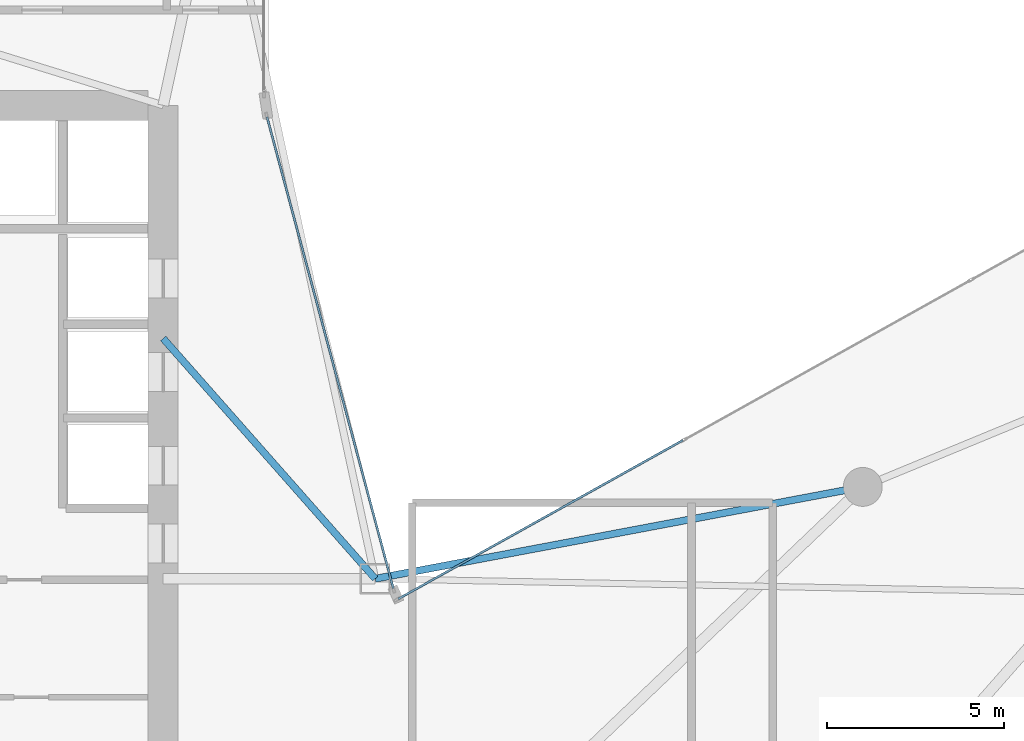
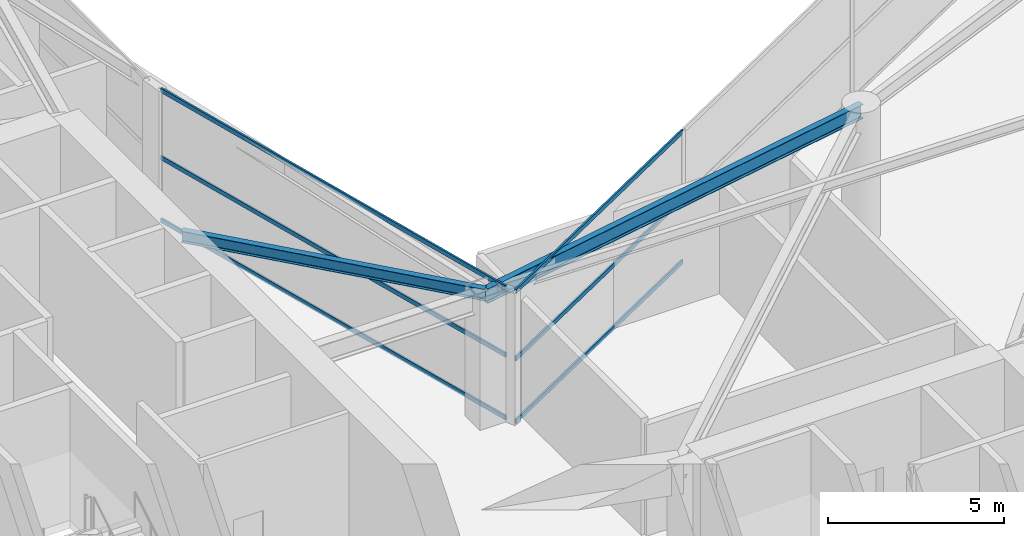
# One storey, part 3 of 19: 6 members, 2 beams, 2 elements without a shape of their own.
"""IFC4 building model written with IfcOpenShell, lengths in metres."""

import ifcopenshell
import ifcopenshell.guid

model = None  # the IFC model being written
_history = None  # IfcOwnerHistory: only IFC2X3 demands one
_inside = {}  # id of a spatial element -> (the spatial element, [elements in it])
_under = {}  # id of a project, library or spatial element -> (it, [spatial elements below it])
_declared = {}  # id of a project -> (the project, [libraries it declares])
_typed = {}  # id of a type object -> (the type object, [elements of that type])
_made_of = {}  # id of a material, layer set ... -> (it, [elements and type objects made of it])


def new_model(schema):
    """Start an empty IFC model of exactly this schema.

    Asked for "IFC4X3", IfcOpenShell would pick the latest addendum, in which some entities
    have other attributes; the version numbers below select the first issue.
    IFC2X3 requires an IfcOwnerHistory on every rooted entity: one is made here for all.
    """
    global model, _history
    if schema == "IFC4X3":
        model = ifcopenshell.file(schema_version=(4, 3, 0, 0))
    else:
        model = ifcopenshell.file(schema=schema)
    _inside.clear()
    _under.clear()
    _declared.clear()
    _typed.clear()
    _made_of.clear()
    _history = None
    if model.schema == "IFC2X3":
        org = make("IfcOrganization", Name="unknown")
        user = make(
            "IfcPersonAndOrganization",
            ThePerson=make("IfcPerson", FamilyName="unknown"),
            TheOrganization=org,
        )
        app = make(
            "IfcApplication",
            ApplicationDeveloper=org,
            Version="unknown",
            ApplicationFullName="unknown",
            ApplicationIdentifier="unknown",
        )
        _history = make(
            "IfcOwnerHistory",
            OwningUser=user,
            OwningApplication=app,
            ChangeAction="ADDED",
            CreationDate=0,
        )
    return model


def make(cls, **values):
    """One entity of the class cls with the attributes given. An attribute that is None is left unset."""
    return model.create_entity(
        cls, **{name: value for name, value in values.items() if value is not None}
    )


def rooted(cls, **values):
    """An entity with a GlobalId (a new one), such as an element, a storey or a relation."""
    return make(cls, GlobalId=ifcopenshell.guid.new(), OwnerHistory=_history, **values)


def si_unit(unit_type, name, prefix=None):
    """IfcSIUnit, for example si_unit("LENGTHUNIT", "METRE", prefix="MILLI")."""
    return make("IfcSIUnit", UnitType=unit_type, Prefix=prefix, Name=name)


def assignment(units):
    """IfcUnitAssignment: the units of a project."""
    return None if units is None else make("IfcUnitAssignment", Units=units)


def point(xyz):
    """IfcCartesianPoint."""
    return None if xyz is None else make("IfcCartesianPoint", Coordinates=xyz)


def direction(xyz):
    """IfcDirection."""
    return None if xyz is None else make("IfcDirection", DirectionRatios=xyz)


def frame(location, z_axis=None, x_axis=None):
    """IfcAxis2Placement3D, a coordinate frame: its origin and axes. An axis left out is left unset."""
    return make(
        "IfcAxis2Placement3D",
        Location=point(location),
        Axis=direction(z_axis),
        RefDirection=direction(x_axis),
    )


def frame_2d(location, x_axis=None):
    """IfcAxis2Placement2D, a coordinate frame in the plane: its origin and x axis."""
    return make(
        "IfcAxis2Placement2D", Location=point(location), RefDirection=direction(x_axis)
    )


def origin():
    """The frame at (0, 0, 0) with its axes left unset."""
    return frame((0.0, 0.0, 0.0))


def origin_2d():
    """The frame at (0, 0) in the plane with its x axis left unset."""
    return frame_2d((0.0, 0.0))


def place(relative_to, where):
    """IfcLocalPlacement: puts the frame where relative to a parent placement (None: the world)."""
    return make(
        "IfcLocalPlacement", PlacementRelTo=relative_to, RelativePlacement=where
    )


def context(
    kind, dimensions, precision=None, world=None, true_north=None, identifier=None
):
    """IfcGeometricRepresentationContext, for example the 3D "Model" context."""
    return make(
        "IfcGeometricRepresentationContext",
        ContextIdentifier=identifier,
        ContextType=kind,
        CoordinateSpaceDimension=dimensions,
        Precision=precision,
        WorldCoordinateSystem=world,
        TrueNorth=true_north,
    )


def subcontext(parent, identifier, kind, view, scale=None):
    """IfcGeometricRepresentationSubContext, for example "Body" below "Model"."""
    return make(
        "IfcGeometricRepresentationSubContext",
        ContextIdentifier=identifier,
        ContextType=kind,
        ParentContext=parent,
        TargetScale=scale,
        TargetView=view,
    )


def project(units=None, contexts=None):
    """IfcProject with its units and contexts."""
    return rooted(
        "IfcProject",
        Name="project",
        RepresentationContexts=contexts,
        UnitsInContext=assignment(units),
    )


def spatial(cls, under=None, at=None, **own):
    """A site, building, storey or space (cls), placed at a placement, below another one or the project."""
    s = rooted(cls, ObjectPlacement=at, **own)
    if under is not None:
        _under.setdefault(under.id(), (under, []))[1].append(s)
    return s


def profile(cls, at=None, kind="AREA", **sizes):
    """A parametric profile (cls). Its sizes go by their IFC names, for example OverallWidth=200.0."""
    return make(cls, ProfileType=kind, Position=at, **sizes)


def hollow_rectangle(**sizes):
    """IfcRectangleHollowProfileDef."""
    return profile("IfcRectangleHollowProfileDef", **sizes)


def i_section(**sizes):
    """IfcIShapeProfileDef."""
    return profile("IfcIShapeProfileDef", **sizes)


def extrude(swept, where, along, depth):
    """IfcExtrudedAreaSolid: the profile swept, set in the frame where, extruded along a direction by depth."""
    return make(
        "IfcExtrudedAreaSolid",
        SweptArea=swept,
        Position=where,
        ExtrudedDirection=direction(along),
        Depth=depth,
    )


def shape(context_of_items, identifier, shape_type, items):
    """IfcShapeRepresentation: the items that make up one representation, for example the "Body"."""
    return make(
        "IfcShapeRepresentation",
        ContextOfItems=context_of_items,
        RepresentationIdentifier=identifier,
        RepresentationType=shape_type,
        Items=items,
    )


def material(Name=None, Category=None):
    """IfcMaterial."""
    return make("IfcMaterial", Name=Name, Category=Category)


def layer(
    of_material, thickness, ventilated=None, Name=None, Category=None, Priority=None
):
    """IfcMaterialLayer: one layer of a wall or slab, of a material (None: an air gap)."""
    return make(
        "IfcMaterialLayer",
        Material=of_material,
        LayerThickness=thickness,
        IsVentilated=ventilated,
        Name=Name,
        Category=Category,
        Priority=Priority,
    )


def layer_set(layers, Name=None):
    """IfcMaterialLayerSet."""
    return make("IfcMaterialLayerSet", MaterialLayers=layers, LayerSetName=Name)


def material_profile(
    of_material, cross_section, Name=None, Category=None, Priority=None
):
    """IfcMaterialProfile: a cross section and its material."""
    return make(
        "IfcMaterialProfile",
        Name=Name,
        Material=of_material,
        Profile=cross_section,
        Priority=Priority,
        Category=Category,
    )


def profile_set(profiles, Name=None, composite=None):
    """IfcMaterialProfileSet."""
    return make(
        "IfcMaterialProfileSet",
        Name=Name,
        MaterialProfiles=profiles,
        CompositeProfile=composite,
    )


def made_of(thing, what):
    """Note that an element or type object is made of a material, layer set ...; save() writes the relation."""
    if what is not None:
        _made_of.setdefault(what.id(), (what, []))[1].append(thing)
    return thing


def type_object(cls, material=None, **own):
    """A type object (cls), such as IfcWallType, which elements share."""
    return made_of(rooted(cls, **own), material)


def element(
    cls,
    number,
    at=None,
    inside=None,
    cuts=None,
    type_object=None,
    material=None,
    context=None,
    identifier="Body",
    shape_type=None,
    held_by="IfcProductDefinitionShape",
    body=None,
    shapes=None,
    **own,
):
    """One element of the class cls, such as IfcWall. Its Tag is "e" and its number.

    at: its placement. inside: the storey or other place that contains it. cuts: it is an
    opening in that element (IfcRelVoidsElement). A single representation is given by context,
    identifier, shape_type and body (its items); several are given by shapes. held_by: the class
    of the entity that holds the representations. save() writes the other relations.
    """
    e = rooted(cls, Tag="e%d" % number, ObjectPlacement=at, **own)
    if body is not None:
        shapes = [shape(context, identifier, shape_type, body)]
    if shapes is not None:
        e.Representation = make(held_by, Representations=shapes)
    if inside is not None:
        _inside.setdefault(inside.id(), (inside, []))[1].append(e)
    if cuts is not None:
        rooted(
            "IfcRelVoidsElement", RelatingBuildingElement=cuts, RelatedOpeningElement=e
        )
    if type_object is not None:
        _typed.setdefault(type_object.id(), (type_object, []))[1].append(e)
    return made_of(e, material)


def aggregate(whole, parts):
    """IfcRelAggregates: a whole, such as a stair, and the parts it consists of."""
    return rooted("IfcRelAggregates", RelatingObject=whole, RelatedObjects=parts)


def save(model, path):
    """Write the relations noted so far, then the file.

    IfcRelAggregates (storeys below a building ...), IfcRelContainedInSpatialStructure (elements
    in a storey), IfcRelDefinesByType, IfcRelAssociatesMaterial and IfcRelDeclares: one each for
    every whole, place, type object, material and project.
    """
    for whole, parts in _under.values():
        aggregate(whole, parts)
    for where, things in _inside.values():
        rooted(
            "IfcRelContainedInSpatialStructure",
            RelatedElements=things,
            RelatingStructure=where,
        )
    for kind, things in _typed.values():
        rooted("IfcRelDefinesByType", RelatedObjects=things, RelatingType=kind)
    for what, things in _made_of.values():
        rooted("IfcRelAssociatesMaterial", RelatedObjects=things, RelatingMaterial=what)
    for by, libraries in _declared.values():
        rooted("IfcRelDeclares", RelatingContext=by, RelatedDefinitions=libraries)
    model.write(path)


model = new_model("IFC4")

# Units and contexts
model_context = context("Model", 3, precision=1e-05, world=origin(), true_north=direction((0.0, 1.0)))
body_context = subcontext(model_context, "Body", "Model", "MODEL_VIEW")
ifc_project = project(units=[si_unit("LENGTHUNIT", "METRE"), si_unit("AREAUNIT", "SQUARE_METRE"), si_unit("VOLUMEUNIT", "CUBIC_METRE"), si_unit("PLANEANGLEUNIT", "RADIAN"), si_unit("MASSUNIT", "GRAM", prefix="KILO")], contexts=[model_context])

# Site, building, storey
site_placement = place(None, origin())
site = spatial("IfcSite", under=ifc_project, at=site_placement, CompositionType="ELEMENT")
building_placement = place(site_placement, origin())
building = spatial("IfcBuilding", under=site, at=building_placement, Name="Calvorn Quay Hotel", CompositionType="ELEMENT")
storey_placement = place(building_placement, frame((0.0, 0.0, 139.199951171875)))
storey = spatial("IfcBuildingStorey", under=building, at=storey_placement, Name="L34", CompositionType="ELEMENT", Elevation=139.199951171875)

# Beams
ifc_material_1 = material(Name="Steel Q355B", Category="steel")
ifc_material_profile_1 = material_profile(ifc_material_1, i_section(OverallWidth=0.199951171875, OverallDepth=0.39990234375, WebThickness=0.008056640625, FlangeThickness=0.012939453125, FilletRadius=0.01611328125, at=origin_2d()), Name="HN400x200x8x13")
ifc_profile_set_1 = profile_set([ifc_material_profile_1], Name="Steel Q355B")
beam_type_1 = type_object("IfcBeamType", Name="BM-JOIST-TYP", PredefinedType="JOIST", material=ifc_profile_set_1)
beam_1_placement = place(storey_placement, frame((15.0, 31.800048828125, 4.340087890625), z_axis=(0.661618965899, -0.749840212287, 0.0), x_axis=(0.749840212287, 0.661618965899, 0.0)))
element("IfcBeam", 1, at=beam_1_placement, inside=storey, type_object=beam_type_1, Name="Beam BJ-L34-C1", PredefinedType="JOIST", context=body_context, shape_type="SweptSolid", body=[
    extrude(i_section(OverallWidth=0.199951171875, OverallDepth=0.39990234375, WebThickness=0.008056640625, FlangeThickness=0.012939453125, FilletRadius=0.01611328125, at=origin_2d()), origin(), (0.0, 0.0, 1.0), 9.068603515625),
])
ifc_material_2 = material(Name="Steel Q355B", Category="steel")
ifc_material_profile_2 = material_profile(ifc_material_2, i_section(OverallWidth=0.199951171875, OverallDepth=0.5, WebThickness=0.010009765625, FlangeThickness=0.01611328125, FilletRadius=0.01611328125, at=origin_2d()), Name="HN500x200x10x16")
ifc_profile_set_2 = profile_set([ifc_material_profile_2], Name="Steel Q355B")
beam_type_2 = type_object("IfcBeamType", Name="BM-SPANDREL-Z1", PredefinedType="SPANDREL", material=ifc_profile_set_2)
beam_2_placement = place(storey_placement, frame((34.800048828125, 27.60009765625, 4.2900390625), z_axis=(-0.982709432406, -0.185154452988, 0.0), x_axis=(0.185154452988, -0.982709432406, 0.0)))
element("IfcBeam", 2, at=beam_2_placement, inside=storey, type_object=beam_type_2, Name="Beam BSP-L34-E5", PredefinedType="SPANDREL", context=body_context, shape_type="SweptSolid", body=[
    extrude(i_section(OverallWidth=0.199951171875, OverallDepth=0.5, WebThickness=0.010009765625, FlangeThickness=0.01611328125, FilletRadius=0.01611328125, at=origin_2d()), origin(), (0.0, 0.0, 1.0), 14.04296875),
])

# Curtain wall, members
ifc_material_3 = material(Name="Pale Anodised Aluminium and Low-E Glass", Category="aluminium")
ifc_layer = layer(ifc_material_3, 0.219970703125)
ifc_layer_set = layer_set([ifc_layer], Name="CW-SYS-Z2")
curtain_wall_type = type_object("IfcCurtainWallType", Name="CW-SYS-Z2", PredefinedType="NOTDEFINED", material=ifc_layer_set)
curtain_wall_1_placement = place(storey_placement, origin())
curtain_wall_1 = element("IfcCurtainWall", 3, at=curtain_wall_1_placement, inside=storey, type_object=curtain_wall_type, Name="Inner Court Curtain Wall L34-NE1", PredefinedType="NOTDEFINED")
ifc_material_4 = material(Name="Pale Anodised Aluminium 6063-T6", Category="aluminium")
ifc_material_profile_3 = material_profile(ifc_material_4, hollow_rectangle(XDim=0.06005859375, YDim=0.14990234375, WallThickness=0.00341796875, at=origin_2d()), Name="ALU-T150x60x3.5")
ifc_profile_set_3 = profile_set([ifc_material_profile_3], Name="Pale Anodised Aluminium 6063-T6")
member_type = type_object("IfcMemberType", Name="CW-SYS-Z2-TRN", PredefinedType="USERDEFINED", material=ifc_profile_set_3)
member_1_placement = place(storey_placement, frame((29.70703125, 28.918701171875, 0.030029296875), z_axis=(-0.87348080454, -0.486858587375, 0.0), x_axis=(0.486858587375, -0.87348080454, 0.0)))
member_1 = element("IfcMember", 4, at=member_1_placement, type_object=member_type, Name="CW-L34-NE1 transom 3.1", ObjectType="TRANSOM", PredefinedType="USERDEFINED", context=body_context, shape_type="SweptSolid", body=[
    extrude(hollow_rectangle(XDim=0.06005859375, YDim=0.14990234375, WallThickness=0.00341796875, at=origin_2d()), origin(), (0.0, 0.0, 1.0), 9.221435546875),
])
member_2_placement = place(storey_placement, frame((29.70703125, 28.918701171875, 2.199951171875), z_axis=(-0.87348080454, -0.486858587375, 0.0), x_axis=(0.486858587375, -0.87348080454, 0.0)))
member_2 = element("IfcMember", 5, at=member_2_placement, type_object=member_type, Name="CW-L34-NE1 transom 3.2", ObjectType="TRANSOM", PredefinedType="USERDEFINED", context=body_context, shape_type="SweptSolid", body=[
    extrude(hollow_rectangle(XDim=0.06005859375, YDim=0.14990234375, WallThickness=0.00341796875, at=origin_2d()), origin(), (0.0, 0.0, 1.0), 9.221435546875),
])
member_3_placement = place(storey_placement, frame((29.70703125, 28.918701171875, 4.530029296875), z_axis=(-0.87348080454, -0.486858587375, 0.0), x_axis=(0.486858587375, -0.87348080454, 0.0)))
member_3 = element("IfcMember", 6, at=member_3_placement, type_object=member_type, Name="CW-L34-NE1 transom 3.3", ObjectType="TRANSOM", PredefinedType="USERDEFINED", context=body_context, shape_type="SweptSolid", body=[
    extrude(hollow_rectangle(XDim=0.06005859375, YDim=0.14990234375, WallThickness=0.00341796875, at=origin_2d()), origin(), (0.0, 0.0, 1.0), 9.221435546875),
])
aggregate(curtain_wall_1, [member_1, member_2, member_3])

curtain_wall_2_placement = place(storey_placement, origin())
curtain_wall_2 = element("IfcCurtainWall", 7, at=curtain_wall_2_placement, inside=storey, type_object=curtain_wall_type, Name="Inner Court Curtain Wall L34-IC1", PredefinedType="NOTDEFINED")
member_4_placement = place(storey_placement, frame((21.512451171875, 24.72802734375, 0.030029296875), z_axis=(-0.258781136883, 0.965935982969, 0.0), x_axis=(-0.965935982969, -0.258781136883, 0.0)))
member_4 = element("IfcMember", 8, at=member_4_placement, type_object=member_type, Name="CW-L34-IC1 transom 1.1", ObjectType="TRANSOM", PredefinedType="USERDEFINED", context=body_context, shape_type="SweptSolid", body=[
    extrude(hollow_rectangle(XDim=0.06005859375, YDim=0.14990234375, WallThickness=0.00341796875, at=origin_2d()), origin(), (0.0, 0.0, 1.0), 13.814453125),
])
member_5_placement = place(storey_placement, frame((21.512451171875, 24.72802734375, 2.199951171875), z_axis=(-0.258781136883, 0.965935982969, 0.0), x_axis=(-0.965935982969, -0.258781136883, 0.0)))
member_5 = element("IfcMember", 9, at=member_5_placement, type_object=member_type, Name="CW-L34-IC1 transom 1.2", ObjectType="TRANSOM", PredefinedType="USERDEFINED", context=body_context, shape_type="SweptSolid", body=[
    extrude(hollow_rectangle(XDim=0.06005859375, YDim=0.14990234375, WallThickness=0.00341796875, at=origin_2d()), origin(), (0.0, 0.0, 1.0), 13.814453125),
])
member_6_placement = place(storey_placement, frame((21.512451171875, 24.72802734375, 4.530029296875), z_axis=(-0.258781136883, 0.965935982969, 0.0), x_axis=(-0.965935982969, -0.258781136883, 0.0)))
member_6 = element("IfcMember", 10, at=member_6_placement, type_object=member_type, Name="CW-L34-IC1 transom 1.3", ObjectType="TRANSOM", PredefinedType="USERDEFINED", context=body_context, shape_type="SweptSolid", body=[
    extrude(hollow_rectangle(XDim=0.06005859375, YDim=0.14990234375, WallThickness=0.00341796875, at=origin_2d()), origin(), (0.0, 0.0, 1.0), 13.814453125),
])
aggregate(curtain_wall_2, [member_4, member_5, member_6])

save(model, "model.ifc")
